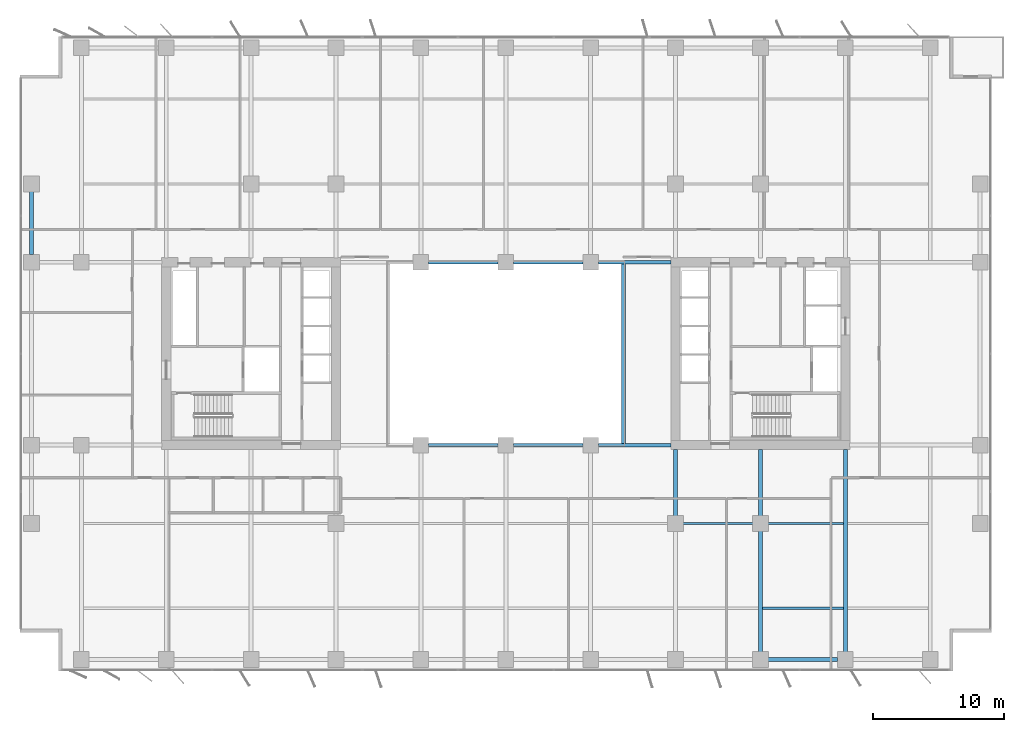
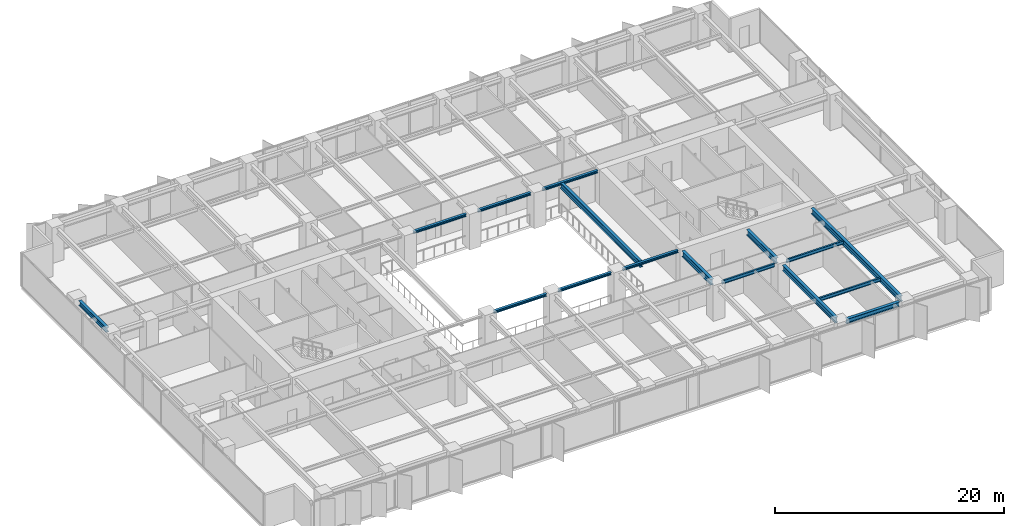
# One storey, part 6 of 20: 16 beams.
"""IFC4 building model written with IfcOpenShell, lengths in metres."""

from ifc_helpers import new_model, si_unit, direction, frame, origin, origin_2d, place, context, subcontext, project, spatial, i_section, extrude, material, material_profile, profile_set, type_object, element, save


model = new_model("IFC4")

# Units and contexts
model_context = context("Model", 3, precision=1e-05, world=origin(), true_north=direction((0.0, 1.0)))
body_context = subcontext(model_context, "Body", "Model", "MODEL_VIEW")
ifc_project = project(units=[si_unit("LENGTHUNIT", "METRE"), si_unit("AREAUNIT", "SQUARE_METRE"), si_unit("VOLUMEUNIT", "CUBIC_METRE"), si_unit("PLANEANGLEUNIT", "RADIAN"), si_unit("MASSUNIT", "GRAM", prefix="KILO")], contexts=[model_context])

# Site, building, storey
site_placement = place(None, origin())
site = spatial("IfcSite", under=ifc_project, at=site_placement, CompositionType="ELEMENT")
building_placement = place(site_placement, origin())
building = spatial("IfcBuilding", under=site, at=building_placement, Name="Putna Gate Headquarters", CompositionType="ELEMENT")
storey_placement = place(building_placement, frame((0.0, 0.0, 124.0)))
storey = spatial("IfcBuildingStorey", under=building, at=storey_placement, Name="L30", CompositionType="ELEMENT", Elevation=124.0)

# Beams
ifc_material = material(Name="Steel S355J2", Category="steel")
ifc_material_profile_1 = material_profile(ifc_material, i_section(OverallWidth=0.260009765625, OverallDepth=0.260009765625, WebThickness=0.010009765625, FlangeThickness=0.017578125, at=origin_2d()), Name="Steel S355J2")
ifc_profile_set_1 = profile_set([ifc_material_profile_1], Name="Steel S355J2")
beam_type_1 = type_object("IfcBeamType", Name="BM-ATRIUM-HEB260", PredefinedType="BEAM", material=ifc_profile_set_1)
for number, where, z_axis, x_axis, name in (
    (1, (33.087890625, 19.0, 3.43505859375), (1.0, 0.0, 0.0), (0.0, 1.0, 0.0), "L30 Atrium Edge Beam AS2"),
    (2, (39.587890625, 19.0, 3.43505859375), (1.0, 0.0, 0.0), (0.0, 1.0, 0.0), "L30 Atrium Edge Beam AS3"),
):
    element("IfcBeam", number, at=place(storey_placement, frame(where, z_axis=z_axis, x_axis=x_axis)), inside=storey, type_object=beam_type_1, Name=name, PredefinedType="BEAM", context=body_context, shape_type="SweptSolid", body=[
        extrude(i_section(OverallWidth=0.260009765625, OverallDepth=0.260009765625, WebThickness=0.010009765625, FlangeThickness=0.017578125, at=origin_2d()), origin(), (0.0, 0.0, 1.0), 5.32421875),
    ])
beam_1_placement = place(storey_placement, frame((46.087890625, 19.0, 3.43505859375), z_axis=(1.0, 0.0, 0.0), x_axis=(0.0, 1.0, 0.0)))
element("IfcBeam", 3, at=beam_1_placement, inside=storey, type_object=beam_type_1, Name="L30 Atrium Edge Beam AS4", PredefinedType="BEAM", context=body_context, shape_type="SweptSolid", body=[
    extrude(i_section(OverallWidth=0.260009765625, OverallDepth=0.260009765625, WebThickness=0.010009765625, FlangeThickness=0.017578125, at=origin_2d()), origin(), (0.0, 0.0, 1.0), 5.5771484375),
])
for number, where, z_axis, x_axis, name in (
    (4, (33.087890625, 33.0, 3.43505859375), (1.0, 0.0, 0.0), (0.0, 1.0, 0.0), "L30 Atrium Edge Beam AN2"),
    (5, (39.587890625, 33.0, 3.43505859375), (1.0, 0.0, 0.0), (0.0, 1.0, 0.0), "L30 Atrium Edge Beam AN3"),
):
    element("IfcBeam", number, at=place(storey_placement, frame(where, z_axis=z_axis, x_axis=x_axis)), inside=storey, type_object=beam_type_1, Name=name, PredefinedType="BEAM", context=body_context, shape_type="SweptSolid", body=[
        extrude(i_section(OverallWidth=0.260009765625, OverallDepth=0.260009765625, WebThickness=0.010009765625, FlangeThickness=0.017578125, at=origin_2d()), origin(), (0.0, 0.0, 1.0), 5.32421875),
    ])
beam_2_placement = place(storey_placement, frame((46.087890625, 33.0, 3.43505859375), z_axis=(1.0, 0.0, 0.0), x_axis=(0.0, 1.0, 0.0)))
element("IfcBeam", 6, at=beam_2_placement, inside=storey, type_object=beam_type_1, Name="L30 Atrium Edge Beam AN4", PredefinedType="BEAM", context=body_context, shape_type="SweptSolid", body=[
    extrude(i_section(OverallWidth=0.260009765625, OverallDepth=0.260009765625, WebThickness=0.010009765625, FlangeThickness=0.017578125, at=origin_2d()), origin(), (0.0, 0.0, 1.0), 5.5771484375),
])
ifc_material_profile_2 = material_profile(ifc_material, i_section(OverallWidth=0.300048828125, OverallDepth=0.60009765625, WebThickness=0.015380859375, FlangeThickness=0.030029296875, at=origin_2d()), Name="Steel S355J2")
ifc_profile_set_2 = profile_set([ifc_material_profile_2], Name="Steel S355J2")
beam_type_2 = type_object("IfcBeamType", Name="BM-GIRD-Z2-HEB600", PredefinedType="USERDEFINED", material=ifc_profile_set_2)
beam_3_placement = place(storey_placement, frame((52.0, 13.587890625, 3.264892578125), z_axis=(0.0, 1.0, 0.0), x_axis=(-1.0, 0.0, 0.0)))
element("IfcBeam", 7, at=beam_3_placement, inside=storey, type_object=beam_type_2, Name="L30 South Primary Girder X52-2", ObjectType="GIRDER", PredefinedType="USERDEFINED", context=body_context, shape_type="SweptSolid", body=[
    extrude(i_section(OverallWidth=0.300048828125, OverallDepth=0.60009765625, WebThickness=0.015380859375, FlangeThickness=0.030029296875, at=origin_2d()), origin(), (0.0, 0.0, 1.0), 5.0771484375),
])
beam_4_placement = place(storey_placement, frame((58.5, 3.16796875, 3.264892578125), z_axis=(0.0, 1.0, 0.0), x_axis=(-1.0, 0.0, 0.0)))
element("IfcBeam", 8, at=beam_4_placement, inside=storey, type_object=beam_type_2, Name="L30 South Primary Girder X58-1", ObjectType="GIRDER", PredefinedType="USERDEFINED", context=body_context, shape_type="SweptSolid", body=[
    extrude(i_section(OverallWidth=0.300048828125, OverallDepth=0.60009765625, WebThickness=0.015380859375, FlangeThickness=0.030029296875, at=origin_2d()), origin(), (0.0, 0.0, 1.0), 9.244140625),
])
beam_5_placement = place(storey_placement, frame((58.5, 13.587890625, 3.264892578125), z_axis=(0.0, 1.0, 0.0), x_axis=(-1.0, 0.0, 0.0)))
element("IfcBeam", 9, at=beam_5_placement, inside=storey, type_object=beam_type_2, Name="L30 South Primary Girder X58-2", ObjectType="GIRDER", PredefinedType="USERDEFINED", context=body_context, shape_type="SweptSolid", body=[
    extrude(i_section(OverallWidth=0.300048828125, OverallDepth=0.60009765625, WebThickness=0.015380859375, FlangeThickness=0.030029296875, at=origin_2d()), origin(), (0.0, 0.0, 1.0), 5.0771484375),
])
beam_6_placement = place(storey_placement, frame((65.0, 3.16796875, 3.264892578125), z_axis=(0.0, 1.0, 0.0), x_axis=(-1.0, 0.0, 0.0)))
element("IfcBeam", 10, at=beam_6_placement, inside=storey, type_object=beam_type_2, Name="L30 South Primary Girder X65", ObjectType="GIRDER", PredefinedType="USERDEFINED", context=body_context, shape_type="SweptSolid", body=[
    extrude(i_section(OverallWidth=0.300048828125, OverallDepth=0.60009765625, WebThickness=0.015380859375, FlangeThickness=0.030029296875, at=origin_2d()), origin(), (0.0, 0.0, 1.0), 15.4970703125),
])
beam_7_placement = place(storey_placement, frame((48.0, 19.010009765625, 3.264892578125), z_axis=(0.0, 1.0, 0.0), x_axis=(-1.0, 0.0, 0.0)))
element("IfcBeam", 11, at=beam_7_placement, inside=storey, type_object=beam_type_2, Name="L30 Atrium Trim Girder AE", ObjectType="GIRDER", PredefinedType="USERDEFINED", context=body_context, shape_type="SweptSolid", body=[
    extrude(i_section(OverallWidth=0.300048828125, OverallDepth=0.60009765625, WebThickness=0.015380859375, FlangeThickness=0.030029296875, at=origin_2d()), origin(), (0.0, 0.0, 1.0), 13.97998046875),
])
ifc_material_profile_3 = material_profile(ifc_material, i_section(OverallWidth=0.169921875, OverallDepth=0.360107421875, WebThickness=0.008056640625, FlangeThickness=0.0126953125, at=origin_2d()), Name="Steel S355J2")
ifc_profile_set_3 = profile_set([ifc_material_profile_3], Name="Steel S355J2")
beam_type_3 = type_object("IfcBeamType", Name="BM-SEC-Z2-IPE360", PredefinedType="BEAM", material=ifc_profile_set_3)
beam_8_placement = place(storey_placement, frame((52.587890625, 13.0, 3.385009765625), z_axis=(1.0, 0.0, 0.0), x_axis=(0.0, 1.0, 0.0)))
element("IfcBeam", 12, at=beam_8_placement, inside=storey, type_object=beam_type_3, Name="L30 South Secondary Beam 8", PredefinedType="BEAM", context=body_context, shape_type="SweptSolid", body=[
    extrude(i_section(OverallWidth=0.169921875, OverallDepth=0.360107421875, WebThickness=0.008056640625, FlangeThickness=0.0126953125, at=origin_2d()), origin(), (0.0, 0.0, 1.0), 5.32421875),
])
beam_9_placement = place(storey_placement, frame((58.654052734375, 6.5, 3.385009765625), z_axis=(1.0, 0.0, 0.0), x_axis=(0.0, 1.0, 0.0)))
element("IfcBeam", 13, at=beam_9_placement, inside=storey, type_object=beam_type_3, Name="L30 South Secondary Beam 9", PredefinedType="BEAM", context=body_context, shape_type="SweptSolid", body=[
    extrude(i_section(OverallWidth=0.169921875, OverallDepth=0.360107421875, WebThickness=0.008056640625, FlangeThickness=0.0126953125, at=origin_2d()), origin(), (0.0, 0.0, 1.0), 6.19189453125),
])
beam_10_placement = place(storey_placement, frame((59.087890625, 13.0, 3.385009765625), z_axis=(1.0, 0.0, 0.0), x_axis=(0.0, 1.0, 0.0)))
element("IfcBeam", 14, at=beam_10_placement, inside=storey, type_object=beam_type_3, Name="L30 South Secondary Beam 9", PredefinedType="BEAM", context=body_context, shape_type="SweptSolid", body=[
    extrude(i_section(OverallWidth=0.169921875, OverallDepth=0.360107421875, WebThickness=0.008056640625, FlangeThickness=0.0126953125, at=origin_2d()), origin(), (0.0, 0.0, 1.0), 5.758056640625),
])
ifc_material_profile_4 = material_profile(ifc_material, i_section(OverallWidth=0.300048828125, OverallDepth=0.489990234375, WebThickness=0.011962890625, FlangeThickness=0.02294921875, at=origin_2d()), Name="Steel S355J2")
ifc_profile_set_4 = profile_set([ifc_material_profile_4], Name="Steel S355J2")
beam_type_4 = type_object("IfcBeamType", Name="BM-SPAN-Z2-HEA500", PredefinedType="SPANDREL", material=ifc_profile_set_4)
beam_11_placement = place(storey_placement, frame((59.087890625, 2.580078125, 3.320068359375), z_axis=(1.0, 0.0, 0.0), x_axis=(0.0, 1.0, 0.0)))
element("IfcBeam", 15, at=beam_11_placement, inside=storey, type_object=beam_type_4, Name="L30 S Perimeter Spandrel 9", PredefinedType="SPANDREL", context=body_context, shape_type="SweptSolid", body=[
    extrude(i_section(OverallWidth=0.300048828125, OverallDepth=0.489990234375, WebThickness=0.011962890625, FlangeThickness=0.02294921875, at=origin_2d()), origin(), (0.0, 0.0, 1.0), 5.32421875),
])
beam_12_placement = place(storey_placement, frame((2.679931640625, 33.587890625, 3.320068359375), z_axis=(0.0, 1.0, 0.0), x_axis=(-1.0, 0.0, 0.0)))
element("IfcBeam", 16, at=beam_12_placement, inside=storey, type_object=beam_type_4, Name="L30 W End Spandrel 3", PredefinedType="SPANDREL", context=body_context, shape_type="SweptSolid", body=[
    extrude(i_section(OverallWidth=0.300048828125, OverallDepth=0.489990234375, WebThickness=0.011962890625, FlangeThickness=0.02294921875, at=origin_2d()), origin(), (0.0, 0.0, 1.0), 4.82421875),
])

save(model, "model.ifc")
